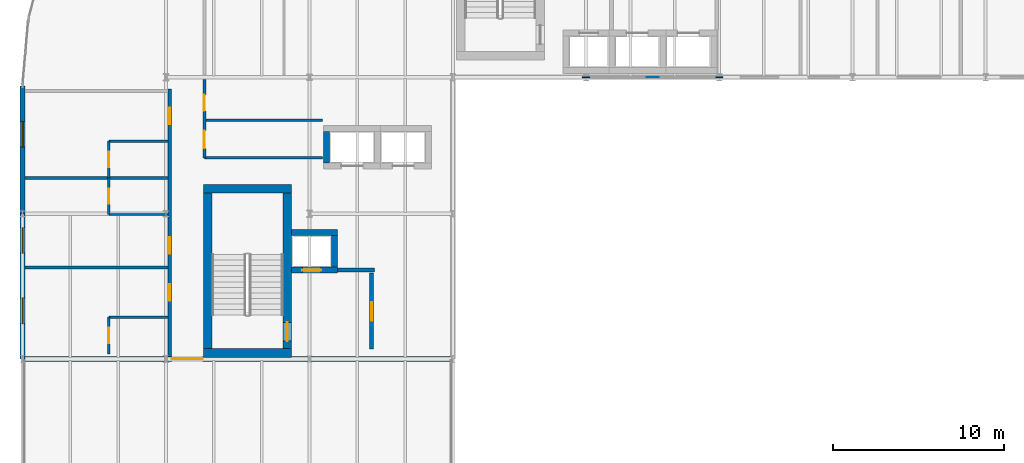
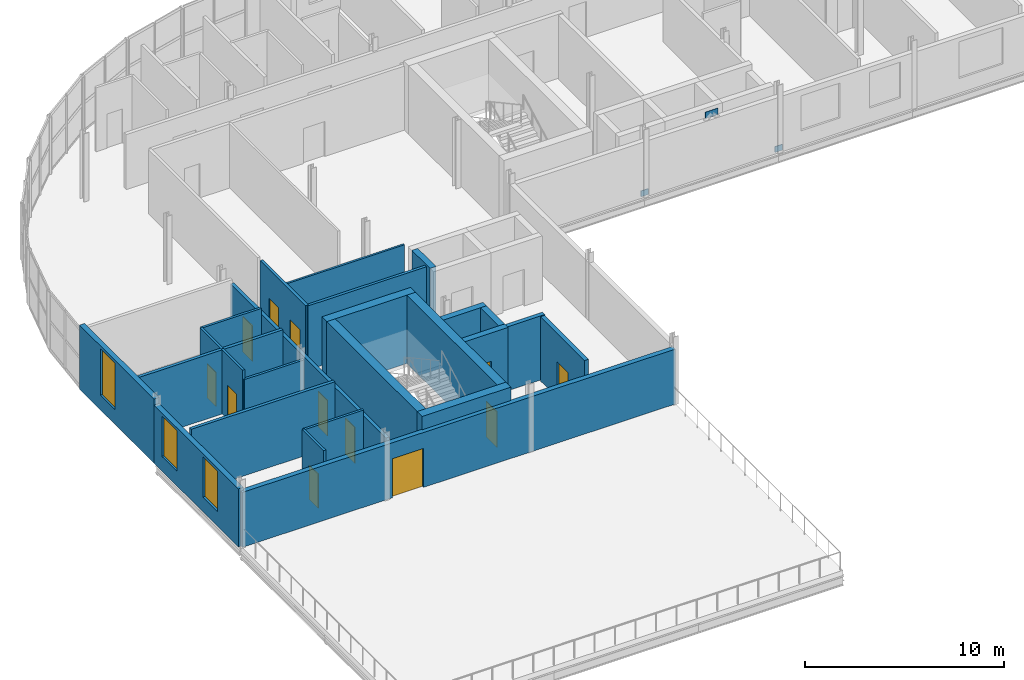
# One storey, part 11 of 22: 25 walls, 12 doors, 3 plates, 3 windows, 15 openings.
"""IFC4 building model written with IfcOpenShell, lengths in metres."""

from ifc_helpers import new_model, si_unit, direction, frame, frame_2d, origin, origin_2d, place, context, subcontext, project, spatial, rectangle, extrude, material, layer, layer_set, type_object, element, fill, save


model = new_model("IFC4")

# Units and contexts
model_context = context("Model", 3, precision=1e-05, world=origin(), true_north=direction((0.0, 1.0)))
body_context = subcontext(model_context, "Body", "Model", "MODEL_VIEW")
ifc_project = project(units=[si_unit("LENGTHUNIT", "METRE"), si_unit("AREAUNIT", "SQUARE_METRE"), si_unit("VOLUMEUNIT", "CUBIC_METRE"), si_unit("PLANEANGLEUNIT", "RADIAN"), si_unit("MASSUNIT", "GRAM", prefix="KILO")], contexts=[model_context])

# Site, building, storey
site_placement = place(None, origin())
site = spatial("IfcSite", under=ifc_project, at=site_placement, CompositionType="ELEMENT")
building_placement = place(site_placement, origin())
building = spatial("IfcBuilding", under=site, at=building_placement, Name="Sefraquen Railside Congress Hotel", CompositionType="ELEMENT")
storey_placement = place(building_placement, frame((0.0, 0.0, 42.60009765625)))
storey = spatial("IfcBuildingStorey", under=building, at=storey_placement, Name="L10", CompositionType="ELEMENT", Elevation=42.60009765625)

# Plates
ifc_material_1 = material(Name="Steel S355J2", Category="steel")
ifc_layer_1 = layer(ifc_material_1, 0.02001953125)
ifc_layer_set_1 = layer_set([ifc_layer_1], Name="Steel S355J2")
plate_type_1 = type_object("IfcPlateType", Name="TP-GUS-01", PredefinedType="SHEET", material=ifc_layer_set_1)
plate_placement = place(storey_placement, frame((36.89990234375, 96.0, 3.489990234375), z_axis=(0.0, 0.0, 1.0), x_axis=(1.0, 0.0, 0.0)))
element("IfcPlate", 1, at=plate_placement, inside=storey, type_object=plate_type_1, Name="Chevron braced-frame apex gusset plate BF1 L10", PredefinedType="SHEET", context=body_context, shape_type="SweptSolid", body=[
    extrude(rectangle(XDim=0.719970703125, YDim=0.02001953125, at=origin_2d()), origin(), (0.0, 0.0, 1.0), 0.39990234375),
])
ifc_layer_2 = layer(ifc_material_1, 0.0400390625)
ifc_layer_set_2 = layer_set([ifc_layer_2], Name="Steel S355J2")
plate_type_2 = type_object("IfcPlateType", Name="TP-GUS-02", PredefinedType="SHEET", material=ifc_layer_set_2)
for number, where, z_axis, x_axis, name in (
    (2, (33.0, 96.0, 0.0), (0.0, 0.0, 1.0), (1.0, 0.0, 0.0), "Chevron braced-frame base gusset plate BF1-L L10"),
    (3, (40.800048828125, 96.0, 0.0), (0.0, 0.0, 1.0), (1.0, 0.0, 0.0), "Chevron braced-frame base gusset plate BF1-R L10"),
):
    element("IfcPlate", number, at=place(storey_placement, frame(where, z_axis=z_axis, x_axis=x_axis)), inside=storey, type_object=plate_type_2, Name=name, PredefinedType="SHEET", context=body_context, shape_type="SweptSolid", body=[
        extrude(rectangle(XDim=0.419921875, YDim=0.0400390625, at=origin_2d()), origin(), (0.0, 0.0, 1.0), 0.360107421875),
    ])

# Wall
ifc_material_2 = material(Name="Concrete C50/60", Category="concrete")
ifc_layer_3 = layer(ifc_material_2, 0.35009765625)
ifc_layer_set_3 = layer_set([ifc_layer_3], Name="Concrete C50/60")
wall_type_1 = type_object("IfcWallType", Name="TW-CW-350", PredefinedType="SHEAR", material=ifc_layer_set_3)
wall_1_placement = place(storey_placement, frame((15.760009765625, 86.89501953125, 0.0), z_axis=(0.0, 0.0, 1.0), x_axis=(1.0, 0.0, 0.0)))
element("IfcWall", 4, at=wall_1_placement, inside=storey, type_object=wall_type_1, Name="Lift FL-01 shaft wall N L10", PredefinedType="SHEAR", context=body_context, shape_type="SweptSolid", body=[
    extrude(rectangle(XDim=2.68994140625, YDim=0.35009765625, at=frame_2d((1.344970703125, 0.0))), origin(), (0.0, 0.0, 1.0), 3.93994140625),
])

# Wall, opening, door
wall_2_placement = place(storey_placement, frame((15.760009765625, 84.705078125, 0.0), z_axis=(0.0, 0.0, 1.0), x_axis=(1.0, 0.0, 0.0)))
wall_2 = element("IfcWall", 5, at=wall_2_placement, inside=storey, type_object=wall_type_1, Name="Lift FL-01 shaft wall S L10", PredefinedType="SHEAR", context=body_context, shape_type="SweptSolid", body=[
    extrude(rectangle(XDim=2.68994140625, YDim=0.35009765625, at=frame_2d((1.344970703125, 0.0))), origin(), (0.0, 0.0, 1.0), 3.93994140625),
])
opening_1_placement = place(wall_2_placement, frame((0.6201171875, 0.0, 0.0)))
opening_1 = element("IfcOpeningElement", 6, at=opening_1_placement, cuts=wall_2, Name="Opening LD-01", PredefinedType="OPENING", context=body_context, shape_type="SweptSolid", body=[
    extrude(rectangle(XDim=1.10009765625, YDim=2.199951171875, at=frame_2d((0.550048828125, 1.10009765625))), frame((0.0, 0.18505859375, 0.0), z_axis=(0.0, -1.0, 0.0), x_axis=(1.0, 0.0, 0.0)), (0.0, 0.0, 1.0), 0.3701171875),
])
ifc_material_3 = material(Name="Brushed bronze stainless steel", Category="steel")
door_type_1 = type_object("IfcDoorType", Name="TD-LD-01", OperationType="NOTDEFINED", PredefinedType="DOOR", material=ifc_material_3)
door_1_placement = place(opening_1_placement, origin())
door_1 = element("IfcDoor", 7, at=door_1_placement, inside=storey, type_object=door_type_1, Name="Lift landing door FL-01 L10", OperationType="SLIDING_TO_LEFT", OverallHeight=2.199951171875, OverallWidth=1.10009765625, PredefinedType="DOOR", context=body_context, shape_type="SweptSolid", body=[
    extrude(rectangle(XDim=1.10009765625, YDim=2.199951171875, at=frame_2d((0.550048828125, 1.10009765625))), frame((0.0, 0.02490234375, 0.0), z_axis=(0.0, -1.0, 0.0), x_axis=(1.0, 0.0, 0.0)), (0.0, 0.0, 1.0), 0.050048828125),
])
fill(opening_1, door_1)

# Walls
for number, where, z_axis, x_axis, name in (
    (8, (18.27490234375, 84.8798828125, 0.0), (0.0, 0.0, 1.0), (0.0, 1.0, 0.0), "Lift FL-01 shaft wall E L10"),
    (9, (17.804931640625, 90.97998046875, 0.0), (0.0, 0.0, 1.0), (0.0, 1.0, 0.0), "Lift PL-01 shaft wall W L10"),
):
    element("IfcWall", number, at=place(storey_placement, frame(where, z_axis=z_axis, x_axis=x_axis)), inside=storey, type_object=wall_type_1, Name=name, PredefinedType="SHEAR", context=body_context, shape_type="SweptSolid", body=[
        extrude(rectangle(XDim=1.840087890625, YDim=0.35009765625, at=frame_2d((0.919921875, 0.0))), origin(), (0.0, 0.0, 1.0), 3.93994140625),
    ])
ifc_layer_4 = layer(ifc_material_2, 0.5)
ifc_layer_set_4 = layer_set([ifc_layer_4], Name="Concrete C50/60")
wall_type_2 = type_object("IfcWallType", Name="TW-CW-500", PredefinedType="SHEAR", material=ifc_layer_set_4)
for number, where, z_axis, x_axis, name in (
    (10, (10.60009765625, 89.4619140625, 0.0), (0.0, 0.0, 1.0), (1.0, 0.0, 0.0), "Core shear wall ST-H01 N L10"),
    (11, (10.60009765625, 79.85009765625, 0.0), (0.0, 0.0, 1.0), (1.0, 0.0, 0.0), "Core shear wall ST-H01 S L10"),
):
    element("IfcWall", number, at=place(storey_placement, frame(where, z_axis=z_axis, x_axis=x_axis)), inside=storey, type_object=wall_type_2, Name=name, PredefinedType="SHEAR", context=body_context, shape_type="SweptSolid", body=[
        extrude(rectangle(XDim=5.159912109375, YDim=0.5, at=frame_2d((2.580078125, 0.0))), origin(), (0.0, 0.0, 1.0), 4.199951171875),
    ])
wall_3_placement = place(storey_placement, frame((10.85009765625, 80.10009765625, 0.0), z_axis=(0.0, 0.0, 1.0), x_axis=(0.0, 1.0, 0.0)))
element("IfcWall", 12, at=wall_3_placement, inside=storey, type_object=wall_type_2, Name="Core shear wall ST-H01 W L10", PredefinedType="SHEAR", context=body_context, shape_type="SweptSolid", body=[
    extrude(rectangle(XDim=9.11181640625, YDim=0.5, at=frame_2d((4.555908203125, 0.0))), origin(), (0.0, 0.0, 1.0), 4.199951171875),
])

# Wall, opening, door
wall_4_placement = place(storey_placement, frame((15.510009765625, 80.10009765625, 0.0), z_axis=(0.0, 0.0, 1.0), x_axis=(0.0, 1.0, 0.0)))
wall_4 = element("IfcWall", 13, at=wall_4_placement, inside=storey, type_object=wall_type_2, Name="Core shear wall ST-H01 E L10", PredefinedType="SHEAR", context=body_context, shape_type="SweptSolid", body=[
    extrude(rectangle(XDim=9.11181640625, YDim=0.5, at=frame_2d((4.555908203125, 0.0))), origin(), (0.0, 0.0, 1.0), 4.199951171875),
])
opening_2_placement = place(wall_4_placement, frame((0.43994140625, 0.0, 0.0)))
opening_2 = element("IfcOpeningElement", 14, at=opening_2_placement, cuts=wall_4, Name="Opening FD-04", PredefinedType="OPENING", context=body_context, shape_type="SweptSolid", body=[
    extrude(rectangle(XDim=1.10009765625, YDim=2.199951171875, at=frame_2d((0.550048828125, 1.10009765625))), frame((0.0, 0.260009765625, 0.0), z_axis=(0.0, -1.0, 0.0), x_axis=(1.0, 0.0, 0.0)), (0.0, 0.0, 1.0), 0.52001953125),
])
ifc_material_4 = material(Name="Fire-rated steel", Category="steel")
door_type_2 = type_object("IfcDoorType", Name="TD-FD-04", OperationType="NOTDEFINED", PredefinedType="DOOR", material=ifc_material_4)
door_2_placement = place(opening_2_placement, origin())
door_2 = element("IfcDoor", 15, at=door_2_placement, inside=storey, type_object=door_type_2, Name="Pressurized stair ST-H01 fire door L10", OperationType="SINGLE_SWING_RIGHT", OverallHeight=2.199951171875, OverallWidth=1.10009765625, PredefinedType="DOOR", context=body_context, shape_type="SweptSolid", body=[
    extrude(rectangle(XDim=1.10009765625, YDim=2.199951171875, at=frame_2d((0.550048828125, 1.10009765625))), frame((0.0, 0.02490234375, 0.0), z_axis=(0.0, -1.0, 0.0), x_axis=(1.0, 0.0, 0.0)), (0.0, 0.0, 1.0), 0.050048828125),
])
fill(opening_2, door_2)

ifc_material_5 = material(Name="Ochre Rabat calcarenite limestone and Concrete C40/50 backing", Category="masonry")
ifc_layer_5 = layer(ifc_material_5, 0.280029296875)
ifc_layer_set_5 = layer_set([ifc_layer_5], Name="Ochre Rabat calcarenite limestone and Concrete C40/50 backing")
wall_type_3 = type_object("IfcWallType", Name="TW-EW-280", PredefinedType="STANDARD", material=ifc_layer_set_5)
wall_5_placement = place(storey_placement, frame((0.0, 79.5, 0.0), z_axis=(0.0, 0.0, 1.0), x_axis=(1.0, 0.0, 0.0)))
wall_5 = element("IfcWall", 16, at=wall_5_placement, inside=storey, type_object=wall_type_3, Name="Hotel L10 south-west return wall", PredefinedType="STANDARD", context=body_context, shape_type="SweptSolid", body=[
    extrude(rectangle(XDim=25.199951171875, YDim=0.280029296875, at=frame_2d((12.60009765625, 0.0))), origin(), (0.0, 0.0, 1.0), 3.3798828125),
])
opening_3_placement = place(wall_5_placement, frame((8.75, 0.0, 0.0)))
opening_3 = element("IfcOpeningElement", 17, at=opening_3_placement, cuts=wall_5, Name="Opening ED-07", PredefinedType="OPENING", context=body_context, shape_type="SweptSolid", body=[
    extrude(rectangle(XDim=1.800048828125, YDim=2.39990234375, at=frame_2d((0.89990234375, 1.199951171875))), frame((0.0, 0.14990234375, 0.0), z_axis=(0.0, -1.0, 0.0), x_axis=(1.0, 0.0, 0.0)), (0.0, 0.0, 1.0), 0.300048828125),
])
ifc_material_6 = material(Name="Bronze and low-E fire-rated glass", Category="glass")
door_type_3 = type_object("IfcDoorType", Name="TD-ED-07", OperationType="NOTDEFINED", PredefinedType="DOOR", material=ifc_material_6)
door_3_placement = place(opening_3_placement, frame((1.800048828125, 0.0, 0.0), z_axis=(0.0, 0.0, 1.0), x_axis=(-1.0, 0.0, 0.0)))
door_3 = element("IfcDoor", 18, at=door_3_placement, inside=storey, type_object=door_type_3, Name="Hotel L10 Sky Terrace walk-out door", OperationType="DOUBLE_SWING_LEFT", OverallHeight=2.39990234375, OverallWidth=1.800048828125, PredefinedType="DOOR", context=body_context, shape_type="SweptSolid", body=[
    extrude(rectangle(XDim=1.800048828125, YDim=2.39990234375, at=frame_2d((0.89990234375, 1.199951171875))), frame((0.0, 0.02490234375, 0.0), z_axis=(0.0, -1.0, 0.0), x_axis=(1.0, 0.0, 0.0)), (0.0, 0.0, 1.0), 0.050048828125),
])
fill(opening_3, door_3)

# Wall, openings, windows
ifc_layer_6 = layer(ifc_material_5, 0.300048828125)
ifc_layer_set_6 = layer_set([ifc_layer_6], Name="Ochre Rabat calcarenite limestone and Concrete C40/50 backing")
wall_type_4 = type_object("IfcWallType", Name="TW-EW-300", PredefinedType="STANDARD", material=ifc_layer_set_6)
wall_6_placement = place(storey_placement, frame((0.0, 79.5, 0.0), z_axis=(0.0, 0.0, 1.0), x_axis=(0.0, 1.0, 0.0)))
wall_6 = element("IfcWall", 19, at=wall_6_placement, inside=storey, type_object=wall_type_4, Name="Hotel L10 West Forecourt facade wall", PredefinedType="STANDARD", context=body_context, shape_type="SweptSolid", body=[
    extrude(rectangle(XDim=8.5, YDim=0.300048828125, at=frame_2d((4.25, 0.0))), origin(), (0.0, 0.0, 1.0), 3.56982421875),
])
opening_4_placement = place(wall_6_placement, frame((2.074951171875, 0.0, 0.89990234375)))
opening_4 = element("IfcOpeningElement", 20, at=opening_4_placement, cuts=wall_6, Name="Opening WN-16", PredefinedType="OPENING", context=body_context, shape_type="SweptSolid", body=[
    extrude(rectangle(XDim=1.5, YDim=2.489990234375, at=frame_2d((0.75, 1.2451171875))), frame((0.0, 0.159912109375, 0.0), z_axis=(0.0, -1.0, 0.0), x_axis=(1.0, 0.0, 0.0)), (0.0, 0.0, 1.0), 0.320068359375),
])
opening_5_placement = place(wall_6_placement, frame((6.199951171875, 0.0, 0.89990234375)))
opening_5 = element("IfcOpeningElement", 21, at=opening_5_placement, cuts=wall_6, Name="Opening WN-17", PredefinedType="OPENING", context=body_context, shape_type="SweptSolid", body=[
    extrude(rectangle(XDim=1.5, YDim=2.489990234375, at=frame_2d((0.75, 1.2451171875))), frame((0.0, 0.159912109375, 0.0), z_axis=(0.0, -1.0, 0.0), x_axis=(1.0, 0.0, 0.0)), (0.0, 0.0, 1.0), 0.320068359375),
])
ifc_material_7 = material(Name="Solar-control low-E double glazing in bronze-anodised frame", Category="glass")
window_type_1 = type_object("IfcWindowType", Name="TWN-W-16", PartitioningType="DOUBLE_PANEL_VERTICAL", PredefinedType="WINDOW", material=ifc_material_7)
window_1_placement = place(opening_4_placement, origin())
window_1 = element("IfcWindow", 22, at=window_1_placement, inside=storey, type_object=window_type_1, Name="Guest room west window SP-L10-RM-023", OverallHeight=2.489990234375, OverallWidth=1.5, PartitioningType="DOUBLE_PANEL_VERTICAL", PredefinedType="WINDOW", context=body_context, shape_type="SweptSolid", body=[
    extrude(rectangle(XDim=1.5, YDim=2.489990234375, at=frame_2d((0.75, 1.2451171875))), frame((0.0, 0.030029296875, 0.0), z_axis=(0.0, -1.0, 0.0), x_axis=(1.0, 0.0, 0.0)), (0.0, 0.0, 1.0), 0.06005859375),
])
fill(opening_4, window_1)
window_type_2 = type_object("IfcWindowType", Name="TWN-W-17", PartitioningType="DOUBLE_PANEL_VERTICAL", PredefinedType="WINDOW", material=ifc_material_7)
window_2_placement = place(opening_5_placement, origin())
window_2 = element("IfcWindow", 23, at=window_2_placement, inside=storey, type_object=window_type_2, Name="Guest room west window SP-L10-RM-024", OverallHeight=2.489990234375, OverallWidth=1.5, PartitioningType="DOUBLE_PANEL_VERTICAL", PredefinedType="WINDOW", context=body_context, shape_type="SweptSolid", body=[
    extrude(rectangle(XDim=1.5, YDim=2.489990234375, at=frame_2d((0.75, 1.2451171875))), frame((0.0, 0.030029296875, 0.0), z_axis=(0.0, -1.0, 0.0), x_axis=(1.0, 0.0, 0.0)), (0.0, 0.0, 1.0), 0.06005859375),
])
fill(opening_5, window_2)

# Wall, opening, window
wall_7_placement = place(storey_placement, frame((0.0, 88.0, 0.0), z_axis=(0.0, 0.0, 1.0), x_axis=(0.0, 1.0, 0.0)))
wall_7 = element("IfcWall", 24, at=wall_7_placement, inside=storey, type_object=wall_type_4, Name="Hotel L10 West Forecourt facade wall", PredefinedType="STANDARD", context=body_context, shape_type="SweptSolid", body=[
    extrude(rectangle(XDim=7.5, YDim=0.300048828125, at=frame_2d((3.75, 0.0))), origin(), (0.0, 0.0, 1.0), 3.93994140625),
])
opening_6_placement = place(wall_7_placement, frame((3.904052734375, 0.0, 0.89990234375)))
opening_6 = element("IfcOpeningElement", 25, at=opening_6_placement, cuts=wall_7, Name="Opening WN-18", PredefinedType="OPENING", context=body_context, shape_type="SweptSolid", body=[
    extrude(rectangle(XDim=1.5, YDim=2.860107421875, at=frame_2d((0.75, 1.43017578125))), frame((0.0, 0.159912109375, 0.0), z_axis=(0.0, -1.0, 0.0), x_axis=(1.0, 0.0, 0.0)), (0.0, 0.0, 1.0), 0.320068359375),
])
window_type_3 = type_object("IfcWindowType", Name="TWN-W-18", PartitioningType="DOUBLE_PANEL_VERTICAL", PredefinedType="WINDOW", material=ifc_material_7)
window_3_placement = place(opening_6_placement, origin())
window_3 = element("IfcWindow", 26, at=window_3_placement, inside=storey, type_object=window_type_3, Name="Guest room west window SP-L10-RM-025", OverallHeight=2.860107421875, OverallWidth=1.5, PartitioningType="DOUBLE_PANEL_VERTICAL", PredefinedType="WINDOW", context=body_context, shape_type="SweptSolid", body=[
    extrude(rectangle(XDim=1.5, YDim=2.860107421875, at=frame_2d((0.75, 1.43017578125))), frame((0.0, 0.030029296875, 0.0), z_axis=(0.0, -1.0, 0.0), x_axis=(1.0, 0.0, 0.0)), (0.0, 0.0, 1.0), 0.06005859375),
])
fill(opening_6, window_3)

# Wall
ifc_material_8 = material(Name="Concrete C40/50", Category="concrete")
ifc_layer_7 = layer(ifc_material_8, 0.239990234375)
ifc_layer_set_7 = layer_set([ifc_layer_7], Name="Concrete C40/50")
wall_type_5 = type_object("IfcWallType", Name="TW-FW-240", PredefinedType="STANDARD", material=ifc_layer_set_7)
wall_8_placement = place(storey_placement, frame((18.449951171875, 84.705078125, 0.0), z_axis=(0.0, 0.0, 1.0), x_axis=(1.0, 0.0, 0.0)))
element("IfcWall", 27, at=wall_8_placement, inside=storey, type_object=wall_type_5, Name="Firefighting Lift Lobby FFL-01 N fire wall L10", PredefinedType="STANDARD", context=body_context, shape_type="SweptSolid", body=[
    extrude(rectangle(XDim=2.170166015625, YDim=0.239990234375, at=frame_2d((1.0849609375, 0.0))), origin(), (0.0, 0.0, 1.0), 3.93994140625),
])

# Wall, opening, door
wall_9_placement = place(storey_placement, frame((20.43994140625, 80.080078125, 0.0), z_axis=(0.0, 0.0, 1.0), x_axis=(0.0, 1.0, 0.0)))
wall_9 = element("IfcWall", 28, at=wall_9_placement, inside=storey, type_object=wall_type_5, Name="Firefighting Lift Lobby FFL-01 EI 120 separation wall L10", PredefinedType="STANDARD", context=body_context, shape_type="SweptSolid", body=[
    extrude(rectangle(XDim=4.449951171875, YDim=0.239990234375, at=frame_2d((2.22509765625, 0.0))), origin(), (0.0, 0.0, 1.0), 3.93994140625),
])
opening_7_placement = place(wall_9_placement, frame((1.64990234375, 0.0, 0.0)))
opening_7 = element("IfcOpeningElement", 29, at=opening_7_placement, cuts=wall_9, Name="Opening FD-04", PredefinedType="OPENING", context=body_context, shape_type="SweptSolid", body=[
    extrude(rectangle(XDim=1.10009765625, YDim=2.199951171875, at=frame_2d((0.550048828125, 1.10009765625))), frame((0.0, 0.1298828125, 0.0), z_axis=(0.0, -1.0, 0.0), x_axis=(1.0, 0.0, 0.0)), (0.0, 0.0, 1.0), 0.260009765625),
])
door_4_placement = place(opening_7_placement, origin())
door_4 = element("IfcDoor", 30, at=door_4_placement, inside=storey, type_object=door_type_2, Name="Firefighting Lift Lobby FFL-01 self-closing fire door L10", OperationType="SINGLE_SWING_RIGHT", OverallHeight=2.199951171875, OverallWidth=1.10009765625, PredefinedType="DOOR", context=body_context, shape_type="SweptSolid", body=[
    extrude(rectangle(XDim=1.10009765625, YDim=2.199951171875, at=frame_2d((0.550048828125, 1.10009765625))), frame((0.0, 0.02490234375, 0.0), z_axis=(0.0, -1.0, 0.0), x_axis=(1.0, 0.0, 0.0)), (0.0, 0.0, 1.0), 0.050048828125),
])
fill(opening_7, door_4)

# Walls
ifc_material_9 = material(Name="Gypsum board on metal stud", Category="gypsum")
ifc_layer_8 = layer(ifc_material_9, 0.1201171875)
ifc_layer_set_8 = layer_set([ifc_layer_8], Name="Gypsum board on metal stud")
wall_type_6 = type_object("IfcWallType", Name="TW-PW-120", PredefinedType="PARTITIONING", material=ifc_layer_set_8)
wall_10_placement = place(storey_placement, frame((10.64990234375, 93.47998046875, 0.0), z_axis=(0.0, 0.0, 1.0), x_axis=(1.0, 0.0, 0.0)))
element("IfcWall", 31, at=wall_10_placement, inside=storey, type_object=wall_type_6, Name="L10 pantry-WC divider", PredefinedType="PARTITIONING", context=body_context, shape_type="SweptSolid", body=[
    extrude(rectangle(XDim=6.900146484375, YDim=0.1201171875, at=frame_2d((3.4501953125, 0.0))), origin(), (0.0, 0.0, 1.0), 3.93994140625),
])
ifc_material_10 = material(Name="Moisture-resistant gypsum board", Category="gypsum")
ifc_layer_9 = layer(ifc_material_10, 0.139892578125)
ifc_layer_set_9 = layer_set([ifc_layer_9], Name="Moisture-resistant gypsum board")
wall_type_7 = type_object("IfcWallType", Name="TW-PW-140", PredefinedType="PARTITIONING", material=ifc_layer_set_9)
wall_11_placement = place(storey_placement, frame((5.050048828125, 81.949951171875, 0.0), z_axis=(0.0, 0.0, 1.0), x_axis=(1.0, 0.0, 0.0)))
element("IfcWall", 32, at=wall_11_placement, inside=storey, type_object=wall_type_7, Name="West en-suite bathroom north wall RM-023", PredefinedType="PARTITIONING", context=body_context, shape_type="SweptSolid", body=[
    extrude(rectangle(XDim=3.469970703125, YDim=0.139892578125, at=frame_2d((1.73486328125, 0.0))), origin(), (0.0, 0.0, 1.0), 3.93994140625),
])

# Wall, opening, door
wall_12_placement = place(storey_placement, frame((5.050048828125, 79.800048828125, 0.0), z_axis=(0.0, 0.0, 1.0), x_axis=(0.0, 1.0, 0.0)))
wall_12 = element("IfcWall", 33, at=wall_12_placement, inside=storey, type_object=wall_type_7, Name="West en-suite bathroom west wall RM-023", PredefinedType="PARTITIONING", context=body_context, shape_type="SweptSolid", body=[
    extrude(rectangle(XDim=2.14990234375, YDim=0.139892578125, at=frame_2d((1.074951171875, 0.0))), origin(), (0.0, 0.0, 1.0), 3.93994140625),
])
opening_8_placement = place(wall_12_placement, frame((0.625, 0.0, 0.0)))
opening_8 = element("IfcOpeningElement", 34, at=opening_8_placement, cuts=wall_12, Name="Opening ID-02", PredefinedType="OPENING", context=body_context, shape_type="SweptSolid", body=[
    extrude(rectangle(XDim=0.89990234375, YDim=2.10009765625, at=frame_2d((0.449951171875, 1.050048828125))), frame((0.0, 0.079833984375, 0.0), z_axis=(0.0, -1.0, 0.0), x_axis=(1.0, 0.0, 0.0)), (0.0, 0.0, 1.0), 0.159912109375),
])
ifc_material_11 = material(Name="Lacquered cedar joinery", Category="wood")
door_type_4 = type_object("IfcDoorType", Name="TD-ID-02", OperationType="NOTDEFINED", PredefinedType="DOOR", material=ifc_material_11)
door_5_placement = place(opening_8_placement, frame((0.89990234375, 0.0, 0.0), z_axis=(0.0, 0.0, 1.0), x_axis=(-1.0, 0.0, 0.0)))
door_5 = element("IfcDoor", 35, at=door_5_placement, inside=storey, type_object=door_type_4, Name="En-suite bathroom door RM-023", OperationType="SINGLE_SWING_LEFT", OverallHeight=2.10009765625, OverallWidth=0.89990234375, PredefinedType="DOOR", context=body_context, shape_type="SweptSolid", body=[
    extrude(rectangle(XDim=0.89990234375, YDim=2.10009765625, at=frame_2d((0.449951171875, 1.050048828125))), frame((0.0, 0.02490234375, 0.0), z_axis=(0.0, -1.0, 0.0), x_axis=(1.0, 0.0, 0.0)), (0.0, 0.0, 1.0), 0.050048828125),
])
fill(opening_8, door_5)

# Wall
wall_13_placement = place(storey_placement, frame((5.050048828125, 87.958984375, 0.0), z_axis=(0.0, 0.0, 1.0), x_axis=(1.0, 0.0, 0.0)))
element("IfcWall", 36, at=wall_13_placement, inside=storey, type_object=wall_type_7, Name="West en-suite bathroom south wall RM-024", PredefinedType="PARTITIONING", context=body_context, shape_type="SweptSolid", body=[
    extrude(rectangle(XDim=3.469970703125, YDim=0.139892578125, at=frame_2d((1.73486328125, 0.0))), origin(), (0.0, 0.0, 1.0), 3.3798828125),
])

# Wall, opening, door
wall_14_placement = place(storey_placement, frame((5.050048828125, 87.958984375, 0.0), z_axis=(0.0, 0.0, 1.0), x_axis=(0.0, 1.0, 0.0)))
wall_14 = element("IfcWall", 37, at=wall_14_placement, inside=storey, type_object=wall_type_7, Name="West en-suite bathroom west wall RM-024", PredefinedType="PARTITIONING", context=body_context, shape_type="SweptSolid", body=[
    extrude(rectangle(XDim=2.14990234375, YDim=0.139892578125, at=frame_2d((1.074951171875, 0.0))), origin(), (0.0, 0.0, 1.0), 3.93994140625),
])
opening_9_placement = place(wall_14_placement, frame((0.625, 0.0, 0.0)))
opening_9 = element("IfcOpeningElement", 38, at=opening_9_placement, cuts=wall_14, Name="Opening ID-02", PredefinedType="OPENING", context=body_context, shape_type="SweptSolid", body=[
    extrude(rectangle(XDim=0.89990234375, YDim=2.10009765625, at=frame_2d((0.449951171875, 1.050048828125))), frame((0.0, 0.079833984375, 0.0), z_axis=(0.0, -1.0, 0.0), x_axis=(1.0, 0.0, 0.0)), (0.0, 0.0, 1.0), 0.159912109375),
])
door_6_placement = place(opening_9_placement, frame((0.89990234375, 0.0, 0.0), z_axis=(0.0, 0.0, 1.0), x_axis=(-1.0, 0.0, 0.0)))
door_6 = element("IfcDoor", 39, at=door_6_placement, inside=storey, type_object=door_type_4, Name="En-suite bathroom door RM-024", OperationType="SINGLE_SWING_LEFT", OverallHeight=2.10009765625, OverallWidth=0.89990234375, PredefinedType="DOOR", context=body_context, shape_type="SweptSolid", body=[
    extrude(rectangle(XDim=0.89990234375, YDim=2.10009765625, at=frame_2d((0.449951171875, 1.050048828125))), frame((0.0, 0.02490234375, 0.0), z_axis=(0.0, -1.0, 0.0), x_axis=(1.0, 0.0, 0.0)), (0.0, 0.0, 1.0), 0.050048828125),
])
fill(opening_9, door_6)

# Wall
wall_15_placement = place(storey_placement, frame((5.050048828125, 92.259033203125, 0.0), z_axis=(0.0, 0.0, 1.0), x_axis=(1.0, 0.0, 0.0)))
element("IfcWall", 40, at=wall_15_placement, inside=storey, type_object=wall_type_7, Name="West en-suite bathroom north wall RM-025", PredefinedType="PARTITIONING", context=body_context, shape_type="SweptSolid", body=[
    extrude(rectangle(XDim=3.469970703125, YDim=0.139892578125, at=frame_2d((1.73486328125, 0.0))), origin(), (0.0, 0.0, 1.0), 3.93994140625),
])

# Wall, opening, door
wall_16_placement = place(storey_placement, frame((5.050048828125, 90.10888671875, 0.0), z_axis=(0.0, 0.0, 1.0), x_axis=(0.0, 1.0, 0.0)))
wall_16 = element("IfcWall", 41, at=wall_16_placement, inside=storey, type_object=wall_type_7, Name="West en-suite bathroom west wall RM-025", PredefinedType="PARTITIONING", context=body_context, shape_type="SweptSolid", body=[
    extrude(rectangle(XDim=2.150146484375, YDim=0.139892578125, at=frame_2d((1.0751953125, 0.0))), origin(), (0.0, 0.0, 1.0), 3.93994140625),
])
opening_10_placement = place(wall_16_placement, frame((0.625, 0.0, 0.0)))
opening_10 = element("IfcOpeningElement", 42, at=opening_10_placement, cuts=wall_16, Name="Opening ID-02", PredefinedType="OPENING", context=body_context, shape_type="SweptSolid", body=[
    extrude(rectangle(XDim=0.89990234375, YDim=2.10009765625, at=frame_2d((0.449951171875, 1.050048828125))), frame((0.0, 0.079833984375, 0.0), z_axis=(0.0, -1.0, 0.0), x_axis=(1.0, 0.0, 0.0)), (0.0, 0.0, 1.0), 0.159912109375),
])
door_7_placement = place(opening_10_placement, frame((0.89990234375, 0.0, 0.0), z_axis=(0.0, 0.0, 1.0), x_axis=(-1.0, 0.0, 0.0)))
door_7 = element("IfcDoor", 43, at=door_7_placement, inside=storey, type_object=door_type_4, Name="En-suite bathroom door RM-025", OperationType="SINGLE_SWING_LEFT", OverallHeight=2.10009765625, OverallWidth=0.89990234375, PredefinedType="DOOR", context=body_context, shape_type="SweptSolid", body=[
    extrude(rectangle(XDim=0.89990234375, YDim=2.10009765625, at=frame_2d((0.449951171875, 1.050048828125))), frame((0.0, 0.02490234375, 0.0), z_axis=(0.0, -1.0, 0.0), x_axis=(1.0, 0.0, 0.0)), (0.0, 0.0, 1.0), 0.050048828125),
])
fill(opening_10, door_7)

# Wall, openings, doors
ifc_layer_10 = layer(ifc_material_10, 0.159912109375)
ifc_layer_set_10 = layer_set([ifc_layer_10], Name="Moisture-resistant gypsum board")
wall_type_8 = type_object("IfcWallType", Name="TW-PW-160", PredefinedType="PARTITIONING", material=ifc_layer_set_10)
wall_17_placement = place(storey_placement, frame((10.64990234375, 91.280029296875, 0.0), z_axis=(0.0, 0.0, 1.0), x_axis=(0.0, 1.0, 0.0)))
wall_17 = element("IfcWall", 44, at=wall_17_placement, inside=storey, type_object=wall_type_8, Name="Hotel L10 west-return corridor E2 partition", PredefinedType="PARTITIONING", context=body_context, shape_type="SweptSolid", body=[
    extrude(rectangle(XDim=4.580078125, YDim=0.159912109375, at=frame_2d((2.2900390625, 0.0))), origin(), (0.0, 0.0, 1.0), 3.93994140625),
])
opening_11_placement = place(wall_17_placement, frame((0.550048828125, 0.0, 0.0)))
opening_11 = element("IfcOpeningElement", 45, at=opening_11_placement, cuts=wall_17, Name="Opening ID-04", PredefinedType="OPENING", context=body_context, shape_type="SweptSolid", body=[
    extrude(rectangle(XDim=1.050048828125, YDim=2.1201171875, at=frame_2d((0.52490234375, 1.06005859375))), frame((0.0, 0.08984375, 0.0), z_axis=(0.0, -1.0, 0.0), x_axis=(1.0, 0.0, 0.0)), (0.0, 0.0, 1.0), 0.179931640625),
])
opening_12_placement = place(wall_17_placement, frame((2.75, 0.0, 0.0)))
opening_12 = element("IfcOpeningElement", 46, at=opening_12_placement, cuts=wall_17, Name="Opening ID-01", PredefinedType="OPENING", context=body_context, shape_type="SweptSolid", body=[
    extrude(rectangle(XDim=0.93994140625, YDim=2.14990234375, at=frame_2d((0.469970703125, 1.074951171875))), frame((0.0, 0.08984375, 0.0), z_axis=(0.0, -1.0, 0.0), x_axis=(1.0, 0.0, 0.0)), (0.0, 0.0, 1.0), 0.179931640625),
])
door_type_5 = type_object("IfcDoorType", Name="TD-ID-01", OperationType="NOTDEFINED", PredefinedType="DOOR", material=ifc_material_11)
door_8_placement = place(opening_12_placement, origin())
door_8 = element("IfcDoor", 47, at=door_8_placement, inside=storey, type_object=door_type_5, Name="Hotel floor Accessible WC door L10", OperationType="SINGLE_SWING_RIGHT", OverallHeight=2.14990234375, OverallWidth=0.93994140625, PredefinedType="DOOR", context=body_context, shape_type="SweptSolid", body=[
    extrude(rectangle(XDim=0.93994140625, YDim=2.14990234375, at=frame_2d((0.469970703125, 1.074951171875))), frame((0.0, 0.02490234375, 0.0), z_axis=(0.0, -1.0, 0.0), x_axis=(1.0, 0.0, 0.0)), (0.0, 0.0, 1.0), 0.050048828125),
])
fill(opening_12, door_8)
ifc_material_12 = material(Name="Painted timber", Category="wood")
door_type_6 = type_object("IfcDoorType", Name="TD-ID-04", OperationType="NOTDEFINED", PredefinedType="DOOR", material=ifc_material_12)
door_9_placement = place(opening_11_placement, origin())
door_9 = element("IfcDoor", 48, at=door_9_placement, inside=storey, type_object=door_type_6, Name="Housekeeping pantry door L10", OperationType="SINGLE_SWING_LEFT", OverallHeight=2.1201171875, OverallWidth=1.050048828125, PredefinedType="DOOR", context=body_context, shape_type="SweptSolid", body=[
    extrude(rectangle(XDim=1.050048828125, YDim=2.1201171875, at=frame_2d((0.52490234375, 1.06005859375))), frame((0.0, 0.02490234375, 0.0), z_axis=(0.0, -1.0, 0.0), x_axis=(1.0, 0.0, 0.0)), (0.0, 0.0, 1.0), 0.050048828125),
])
fill(opening_11, door_9)

# Walls
wall_18_placement = place(storey_placement, frame((10.64990234375, 91.280029296875, 0.0), z_axis=(0.0, 0.0, 1.0), x_axis=(1.0, 0.0, 0.0)))
element("IfcWall", 49, at=wall_18_placement, inside=storey, type_object=wall_type_8, Name="L10 pantry south enclosure", PredefinedType="PARTITIONING", context=body_context, shape_type="SweptSolid", body=[
    extrude(rectangle(XDim=6.900146484375, YDim=0.159912109375, at=frame_2d((3.4501953125, 0.0))), origin(), (0.0, 0.0, 1.0), 3.93994140625),
])
ifc_material_13 = material(Name="Acoustic gypsum board on metal stud", Category="gypsum")
ifc_layer_11 = layer(ifc_material_13, 0.179931640625)
ifc_layer_set_11 = layer_set([ifc_layer_11], Name="Acoustic gypsum board on metal stud")
wall_type_9 = type_object("IfcWallType", Name="TW-PW-180", PredefinedType="PARTITIONING", material=ifc_layer_set_11)
for number, where, z_axis, x_axis, name in (
    (50, (0.14990234375, 84.84912109375, 0.0), (0.0, 0.0, 1.0), (1.0, 0.0, 0.0), "West return guest room demising wall RM-023"),
    (51, (0.14990234375, 90.10888671875, 0.0), (0.0, 0.0, 1.0), (1.0, 0.0, 0.0), "West return guest room demising wall RM-024"),
):
    element("IfcWall", number, at=place(storey_placement, frame(where, z_axis=z_axis, x_axis=x_axis)), inside=storey, type_object=wall_type_9, Name=name, PredefinedType="PARTITIONING", context=body_context, shape_type="SweptSolid", body=[
        extrude(rectangle(XDim=8.3701171875, YDim=0.179931640625, at=frame_2d((4.18505859375, 0.0))), origin(), (0.0, 0.0, 1.0), 3.93994140625),
    ])

# Wall, openings, doors
ifc_layer_12 = layer(ifc_material_13, 0.199951171875)
ifc_layer_set_12 = layer_set([ifc_layer_12], Name="Acoustic gypsum board on metal stud")
wall_type_10 = type_object("IfcWallType", Name="TW-PW-200", PredefinedType="PARTITIONING", material=ifc_layer_set_12)
wall_19_placement = place(storey_placement, frame((8.6201171875, 79.639892578125, 0.0), z_axis=(0.0, 0.0, 1.0), x_axis=(0.0, 1.0, 0.0)))
wall_19 = element("IfcWall", 52, at=wall_19_placement, inside=storey, type_object=wall_type_10, Name="Hotel L10 west-return corridor W partition", PredefinedType="PARTITIONING", context=body_context, shape_type="SweptSolid", body=[
    extrude(rectangle(XDim=15.66015625, YDim=0.199951171875, at=frame_2d((7.830078125, 0.0))), origin(), (0.0, 0.0, 1.0), 3.56982421875),
])
opening_13_placement = place(wall_19_placement, frame((3.280029296875, 0.0, 0.0)))
opening_13 = element("IfcOpeningElement", 53, at=opening_13_placement, cuts=wall_19, Name="Opening GD-02", PredefinedType="OPENING", context=body_context, shape_type="SweptSolid", body=[
    extrude(rectangle(XDim=0.9599609375, YDim=2.199951171875, at=frame_2d((0.47998046875, 1.10009765625))), frame((0.0, 0.10986328125, 0.0), z_axis=(0.0, -1.0, 0.0), x_axis=(1.0, 0.0, 0.0)), (0.0, 0.0, 1.0), 0.219970703125),
])
opening_14_placement = place(wall_19_placement, frame((6.033935546875, 0.0, 0.0)))
opening_14 = element("IfcOpeningElement", 54, at=opening_14_placement, cuts=wall_19, Name="Opening GD-02", PredefinedType="OPENING", context=body_context, shape_type="SweptSolid", body=[
    extrude(rectangle(XDim=0.9599609375, YDim=2.199951171875, at=frame_2d((0.47998046875, 1.10009765625))), frame((0.0, 0.10986328125, 0.0), z_axis=(0.0, -1.0, 0.0), x_axis=(1.0, 0.0, 0.0)), (0.0, 0.0, 1.0), 0.219970703125),
])
opening_15_placement = place(wall_19_placement, frame((13.610107421875, 0.0, 0.0)))
opening_15 = element("IfcOpeningElement", 55, at=opening_15_placement, cuts=wall_19, Name="Opening GD-02", PredefinedType="OPENING", context=body_context, shape_type="SweptSolid", body=[
    extrude(rectangle(XDim=0.9599609375, YDim=2.199951171875, at=frame_2d((0.47998046875, 1.10009765625))), frame((0.0, 0.10986328125, 0.0), z_axis=(0.0, -1.0, 0.0), x_axis=(1.0, 0.0, 0.0)), (0.0, 0.0, 1.0), 0.219970703125),
])
ifc_material_14 = material(Name="Solid Atlas cedar timber fire leaf", Category="wood")
door_type_7 = type_object("IfcDoorType", Name="TD-GD-02", OperationType="NOTDEFINED", PredefinedType="DOOR", material=ifc_material_14)
door_10_placement = place(opening_13_placement, frame((0.9599609375, 0.0, 0.0), z_axis=(0.0, 0.0, 1.0), x_axis=(-1.0, 0.0, 0.0)))
door_10 = element("IfcDoor", 56, at=door_10_placement, inside=storey, type_object=door_type_7, Name="Guest room entrance fire door RM-023", OperationType="SINGLE_SWING_RIGHT", OverallHeight=2.199951171875, OverallWidth=0.9599609375, PredefinedType="DOOR", context=body_context, shape_type="SweptSolid", body=[
    extrude(rectangle(XDim=0.9599609375, YDim=2.199951171875, at=frame_2d((0.47998046875, 1.10009765625))), frame((0.0, 0.02490234375, 0.0), z_axis=(0.0, -1.0, 0.0), x_axis=(1.0, 0.0, 0.0)), (0.0, 0.0, 1.0), 0.050048828125),
])
fill(opening_13, door_10)
door_11_placement = place(opening_14_placement, frame((0.9599609375, 0.0, 0.0), z_axis=(0.0, 0.0, 1.0), x_axis=(-1.0, 0.0, 0.0)))
door_11 = element("IfcDoor", 57, at=door_11_placement, inside=storey, type_object=door_type_7, Name="Guest room entrance fire door RM-024", OperationType="SINGLE_SWING_RIGHT", OverallHeight=2.199951171875, OverallWidth=0.9599609375, PredefinedType="DOOR", context=body_context, shape_type="SweptSolid", body=[
    extrude(rectangle(XDim=0.9599609375, YDim=2.199951171875, at=frame_2d((0.47998046875, 1.10009765625))), frame((0.0, 0.02490234375, 0.0), z_axis=(0.0, -1.0, 0.0), x_axis=(1.0, 0.0, 0.0)), (0.0, 0.0, 1.0), 0.050048828125),
])
fill(opening_14, door_11)
door_12_placement = place(opening_15_placement, frame((0.9599609375, 0.0, 0.0), z_axis=(0.0, 0.0, 1.0), x_axis=(-1.0, 0.0, 0.0)))
door_12 = element("IfcDoor", 58, at=door_12_placement, inside=storey, type_object=door_type_7, Name="Guest room entrance fire door RM-025", OperationType="SINGLE_SWING_RIGHT", OverallHeight=2.199951171875, OverallWidth=0.9599609375, PredefinedType="DOOR", context=body_context, shape_type="SweptSolid", body=[
    extrude(rectangle(XDim=0.9599609375, YDim=2.199951171875, at=frame_2d((0.47998046875, 1.10009765625))), frame((0.0, 0.02490234375, 0.0), z_axis=(0.0, -1.0, 0.0), x_axis=(1.0, 0.0, 0.0)), (0.0, 0.0, 1.0), 0.050048828125),
])
fill(opening_15, door_12)

save(model, "model.ifc")
